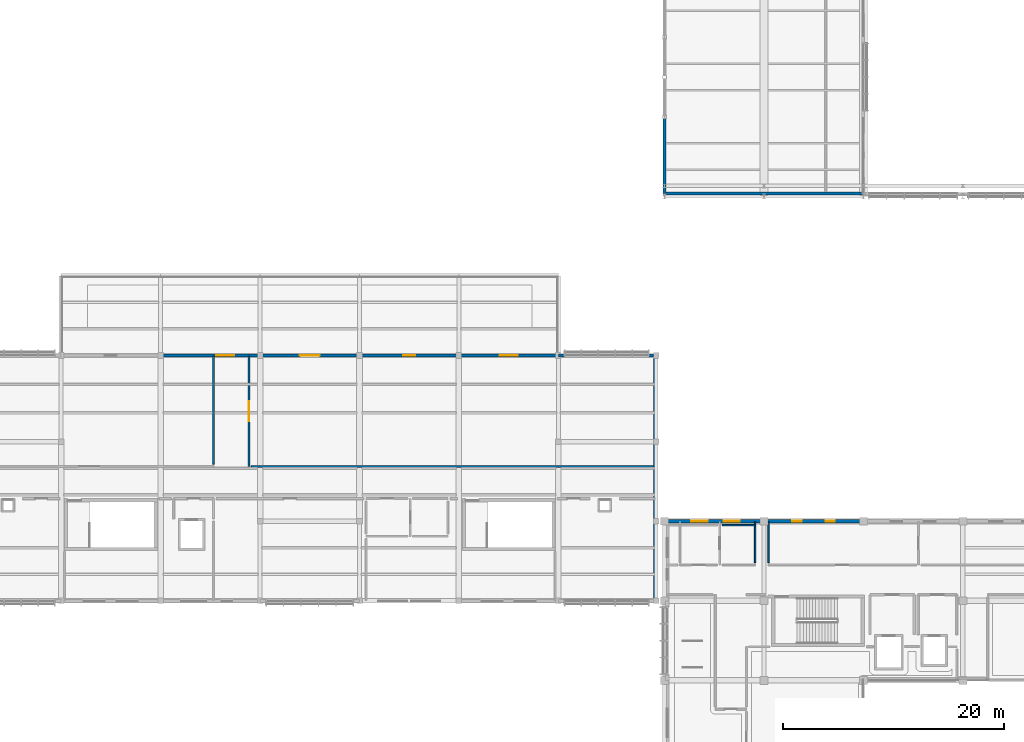
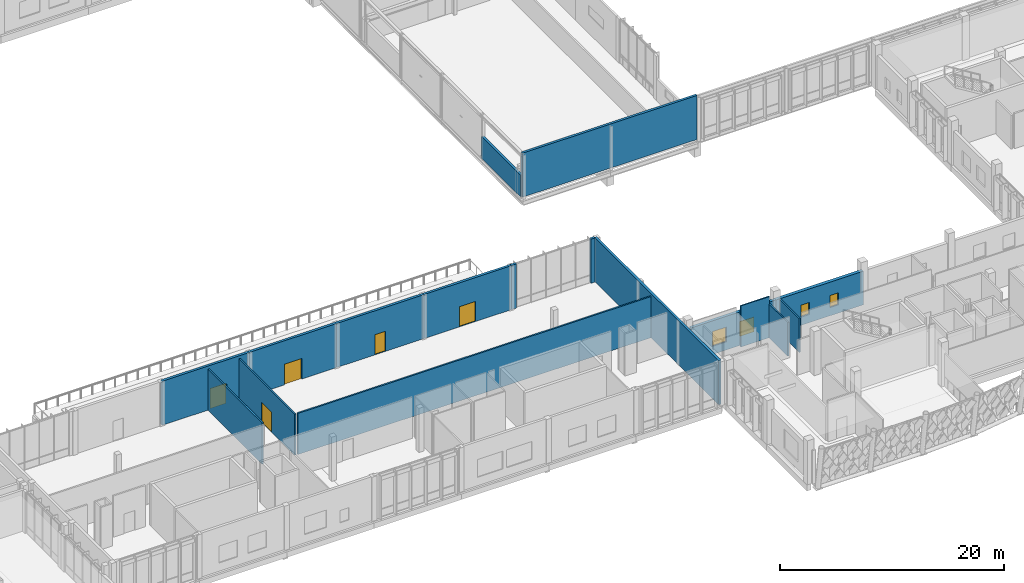
# One storey, part 151 of 177: 17 walls, 5 doors, 4 windows, 9 openings.
"""IFC4 building model written with IfcOpenShell, lengths in metres."""

from ifc_helpers import new_model, si_unit, direction, frame, frame_2d, origin, place, context, subcontext, project, spatial, rectangle, extrude, material, layer, layer_set, type_object, element, fill, save


model = new_model("IFC4")

# Units and contexts
model_context = context("Model", 3, precision=1e-05, world=origin(), true_north=direction((0.0, 1.0)))
body_context = subcontext(model_context, "Body", "Model", "MODEL_VIEW")
ifc_project = project(units=[si_unit("LENGTHUNIT", "METRE"), si_unit("AREAUNIT", "SQUARE_METRE"), si_unit("VOLUMEUNIT", "CUBIC_METRE"), si_unit("PLANEANGLEUNIT", "RADIAN"), si_unit("MASSUNIT", "GRAM", prefix="KILO")], contexts=[model_context])

# Site, building, storey
site_placement = place(None, origin())
site = spatial("IfcSite", under=ifc_project, at=site_placement, CompositionType="ELEMENT")
building_placement = place(site_placement, origin())
building = spatial("IfcBuilding", under=site, at=building_placement, Name="Chiffa Square Polytechnic", CompositionType="ELEMENT")
storey_placement = place(building_placement, frame((0.0, 0.0, 4.800048828125)))
storey = spatial("IfcBuildingStorey", under=building, at=storey_placement, Name="L01", CompositionType="ELEMENT", Elevation=4.800048828125)

# Walls
ifc_material_1 = material(Name="Precast concrete C40/50", Category="concrete")
ifc_layer_1 = layer(ifc_material_1, 0.239990234375, Name="Precast concrete C40/50")
ifc_layer_set_1 = layer_set([ifc_layer_1], Name="Precast concrete C40/50")
wall_type_1 = type_object("IfcWallType", Name="WL-EXT-PC240", PredefinedType="SOLIDWALL", material=ifc_layer_set_1)
wall_1_placement = place(storey_placement, frame((112.199951171875, 65.39990234375, 0.0), z_axis=(0.0, 0.0, 1.0), x_axis=(0.0, -1.0, 0.0)))
element("IfcWall", 1, at=wall_1_placement, inside=storey, type_object=wall_type_1, Name="Exterior wall WE-V2-L01-0130", PredefinedType="SOLIDWALL", context=body_context, shape_type="SweptSolid", body=[
    extrude(rectangle(XDim=6.949951171875, YDim=0.239990234375, at=frame_2d((3.47509765625, 0.0))), origin(), (0.0, 0.0, 1.0), 2.385009765625),
])
ifc_layer_2 = layer(ifc_material_1, 0.260009765625, Name="Precast concrete C40/50")
ifc_layer_set_2 = layer_set([ifc_layer_2], Name="Precast concrete C40/50")
wall_type_2 = type_object("IfcWallType", Name="WL-EXT-PC260", PredefinedType="SOLIDWALL", material=ifc_layer_set_2)
wall_2_placement = place(storey_placement, frame((111.222900390625, 43.800048828125, 0.0), z_axis=(0.0, 0.0, 1.0), x_axis=(-1.0, 0.0, 0.0)))
element("IfcWall", 2, at=wall_2_placement, inside=storey, type_object=wall_type_2, Name="Facade column pier V4-L01-0209L", PredefinedType="SOLIDWALL", context=body_context, shape_type="SweptSolid", body=[
    extrude(rectangle(XDim=0.412841796875, YDim=0.260009765625, at=frame_2d((0.20654296875, 0.0))), origin(), (0.0, 0.0, 1.0), 4.800048828125),
])
wall_3_placement = place(storey_placement, frame((103.139892578125, 43.800048828125, 0.0), z_axis=(0.0, 0.0, 1.0), x_axis=(-1.0, 0.0, 0.0)))
element("IfcWall", 3, at=wall_3_placement, inside=storey, type_object=wall_type_2, Name="Facade column pier V4-L01-0209R", PredefinedType="SOLIDWALL", context=body_context, shape_type="SweptSolid", body=[
    extrude(rectangle(XDim=0.539794921875, YDim=0.260009765625, at=frame_2d((0.27001953125, 0.0))), origin(), (0.0, 0.0, 1.0), 4.800048828125),
])

# Wall, opening, door
wall_4_placement = place(storey_placement, frame((102.60009765625, 43.800048828125, 0.0), z_axis=(0.0, 0.0, 1.0), x_axis=(-1.0, 0.0, 0.0)))
wall_4 = element("IfcWall", 4, at=wall_4_placement, inside=storey, type_object=wall_type_2, Name="Exterior wall WE-V4-L01-0210", PredefinedType="SOLIDWALL", context=body_context, shape_type="SweptSolid", body=[
    extrude(rectangle(XDim=9.0, YDim=0.260009765625, at=frame_2d((4.5, 0.0))), origin(), (0.0, 0.0, 1.0), 4.800048828125),
])
opening_1_placement = place(wall_4_placement, frame((3.675048828125, 0.0, 0.0)))
opening_1 = element("IfcOpeningElement", 5, at=opening_1_placement, cuts=wall_4, Name="Opening DT-L01-037", PredefinedType="OPENING", context=body_context, shape_type="SweptSolid", body=[
    extrude(rectangle(XDim=1.64990234375, YDim=2.199951171875, at=frame_2d((0.824951171875, 1.10009765625))), frame((0.0, 0.14013671875, 0.0), z_axis=(0.0, -1.0, 0.0), x_axis=(1.0, 0.0, 0.0)), (0.0, 0.0, 1.0), 0.280029296875),
])
ifc_material_2 = material(Name="Thermally broken aluminium glazed door", Category="aluminium")
door_type_1 = type_object("IfcDoorType", Name="DR-TERR-DBL-1650", OperationType="DOUBLE_DOOR_SINGLE_SWING", PredefinedType="DOOR", material=ifc_material_2)
door_1_placement = place(opening_1_placement, origin())
door_1 = element("IfcDoor", 6, at=door_1_placement, inside=storey, type_object=door_type_1, Name="Exterior door DT-L01-037", OperationType="DOUBLE_DOOR_SINGLE_SWING", OverallHeight=2.199951171875, OverallWidth=1.64990234375, PredefinedType="DOOR", context=body_context, shape_type="SweptSolid", body=[
    extrude(rectangle(XDim=1.64990234375, YDim=2.199951171875, at=frame_2d((0.824951171875, 1.10009765625))), frame((0.0, 0.02490234375, 0.0), z_axis=(0.0, -1.0, 0.0), x_axis=(1.0, 0.0, 0.0)), (0.0, 0.0, 1.0), 0.050048828125),
])
fill(opening_1, door_1)

wall_5_placement = place(storey_placement, frame((93.60009765625, 43.800048828125, 0.0), z_axis=(0.0, 0.0, 1.0), x_axis=(-1.0, 0.0, 0.0)))
wall_5 = element("IfcWall", 7, at=wall_5_placement, inside=storey, type_object=wall_type_2, Name="Exterior wall WE-V4-L01-0211", PredefinedType="SOLIDWALL", context=body_context, shape_type="SweptSolid", body=[
    extrude(rectangle(XDim=9.0, YDim=0.260009765625, at=frame_2d((4.5, 0.0))), origin(), (0.0, 0.0, 1.0), 4.800048828125),
])
opening_2_placement = place(wall_5_placement, frame((3.949951171875, 0.0, 0.0)))
opening_2 = element("IfcOpeningElement", 8, at=opening_2_placement, cuts=wall_5, Name="Opening DT-L01-038", PredefinedType="OPENING", context=body_context, shape_type="SweptSolid", body=[
    extrude(rectangle(XDim=1.10009765625, YDim=2.199951171875, at=frame_2d((0.550048828125, 1.10009765625))), frame((0.0, 0.14013671875, 0.0), z_axis=(0.0, -1.0, 0.0), x_axis=(1.0, 0.0, 0.0)), (0.0, 0.0, 1.0), 0.280029296875),
])
door_type_2 = type_object("IfcDoorType", Name="DR-TERR-SGL-1100", OperationType="NOTDEFINED", PredefinedType="DOOR", material=ifc_material_2)
door_2_placement = place(opening_2_placement, origin())
door_2 = element("IfcDoor", 9, at=door_2_placement, inside=storey, type_object=door_type_2, Name="Exterior door DT-L01-038", OperationType="SINGLE_SWING_LEFT", OverallHeight=2.199951171875, OverallWidth=1.10009765625, PredefinedType="DOOR", context=body_context, shape_type="SweptSolid", body=[
    extrude(rectangle(XDim=1.10009765625, YDim=2.199951171875, at=frame_2d((0.550048828125, 1.10009765625))), frame((0.0, 0.02490234375, 0.0), z_axis=(0.0, -1.0, 0.0), x_axis=(1.0, 0.0, 0.0)), (0.0, 0.0, 1.0), 0.050048828125),
])
fill(opening_2, door_2)

wall_6_placement = place(storey_placement, frame((84.60009765625, 43.800048828125, 0.0), z_axis=(0.0, 0.0, 1.0), x_axis=(-1.0, 0.0, 0.0)))
wall_6 = element("IfcWall", 10, at=wall_6_placement, inside=storey, type_object=wall_type_2, Name="Exterior wall WE-V4-L01-0212", PredefinedType="SOLIDWALL", context=body_context, shape_type="SweptSolid", body=[
    extrude(rectangle(XDim=9.0, YDim=0.260009765625, at=frame_2d((4.5, 0.0))), origin(), (0.0, 0.0, 1.0), 4.800048828125),
])
opening_3_placement = place(wall_6_placement, frame((3.60009765625, 0.0, 0.0)))
opening_3 = element("IfcOpeningElement", 11, at=opening_3_placement, cuts=wall_6, Name="Opening DT-L01-039", PredefinedType="OPENING", context=body_context, shape_type="SweptSolid", body=[
    extrude(rectangle(XDim=1.800048828125, YDim=2.25, at=frame_2d((0.89990234375, 1.125))), frame((0.0, 0.14013671875, 0.0), z_axis=(0.0, -1.0, 0.0), x_axis=(1.0, 0.0, 0.0)), (0.0, 0.0, 1.0), 0.280029296875),
])
door_type_3 = type_object("IfcDoorType", Name="DR-TERR-DBL-1800", OperationType="DOUBLE_DOOR_SINGLE_SWING", PredefinedType="DOOR", material=ifc_material_2)
door_3_placement = place(opening_3_placement, origin())
door_3 = element("IfcDoor", 12, at=door_3_placement, inside=storey, type_object=door_type_3, Name="Exterior door DT-L01-039", OperationType="DOUBLE_DOOR_SINGLE_SWING", OverallHeight=2.25, OverallWidth=1.800048828125, PredefinedType="DOOR", context=body_context, shape_type="SweptSolid", body=[
    extrude(rectangle(XDim=1.800048828125, YDim=2.25, at=frame_2d((0.89990234375, 1.125))), frame((0.0, 0.02490234375, 0.0), z_axis=(0.0, -1.0, 0.0), x_axis=(1.0, 0.0, 0.0)), (0.0, 0.0, 1.0), 0.050048828125),
])
fill(opening_3, door_3)

wall_7_placement = place(storey_placement, frame((75.60009765625, 43.800048828125, 0.0), z_axis=(0.0, 0.0, 1.0), x_axis=(-1.0, 0.0, 0.0)))
wall_7 = element("IfcWall", 13, at=wall_7_placement, inside=storey, type_object=wall_type_2, Name="Exterior wall WE-V4-L01-0213", PredefinedType="SOLIDWALL", context=body_context, shape_type="SweptSolid", body=[
    extrude(rectangle(XDim=9.0, YDim=0.260009765625, at=frame_2d((4.5, 0.0))), origin(), (0.0, 0.0, 1.0), 4.800048828125),
])
opening_4_placement = place(wall_7_placement, frame((2.324951171875, 0.0, 0.0)))
opening_4 = element("IfcOpeningElement", 14, at=opening_4_placement, cuts=wall_7, Name="Opening DT-L01-040", PredefinedType="OPENING", context=body_context, shape_type="SweptSolid", body=[
    extrude(rectangle(XDim=1.64990234375, YDim=2.199951171875, at=frame_2d((0.824951171875, 1.10009765625))), frame((0.0, 0.14013671875, 0.0), z_axis=(0.0, -1.0, 0.0), x_axis=(1.0, 0.0, 0.0)), (0.0, 0.0, 1.0), 0.280029296875),
])
door_4_placement = place(opening_4_placement, origin())
door_4 = element("IfcDoor", 15, at=door_4_placement, inside=storey, type_object=door_type_1, Name="Exterior door DT-L01-040", OperationType="DOUBLE_DOOR_SINGLE_SWING", OverallHeight=2.199951171875, OverallWidth=1.64990234375, PredefinedType="DOOR", context=body_context, shape_type="SweptSolid", body=[
    extrude(rectangle(XDim=1.64990234375, YDim=2.199951171875, at=frame_2d((0.824951171875, 1.10009765625))), frame((0.0, 0.02490234375, 0.0), z_axis=(0.0, -1.0, 0.0), x_axis=(1.0, 0.0, 0.0)), (0.0, 0.0, 1.0), 0.050048828125),
])
fill(opening_4, door_4)

# Wall, openings, windows
ifc_layer_3 = layer(ifc_material_1, 0.300048828125, Name="Precast concrete C40/50")
ifc_layer_set_3 = layer_set([ifc_layer_3], Name="Precast concrete C40/50")
wall_type_3 = type_object("IfcWallType", Name="WL-EXT-PC300", PredefinedType="SOLIDWALL", material=ifc_layer_set_3)
wall_8_placement = place(storey_placement, frame((121.199951171875, 28.800048828125, 0.0), z_axis=(0.0, 0.0, 1.0), x_axis=(-1.0, 0.0, 0.0)))
wall_8 = element("IfcWall", 16, at=wall_8_placement, inside=storey, type_object=wall_type_3, Name="Exterior wall WE-V1-L01-0029", PredefinedType="SOLIDWALL", context=body_context, shape_type="SweptSolid", body=[
    extrude(rectangle(XDim=8.75, YDim=0.300048828125, at=frame_2d((4.375, 0.0))), origin(), (0.0, 0.0, 1.0), 3.6650390625),
])
opening_5_placement = place(wall_8_placement, frame((2.19189453125, 0.0, 0.89990234375)))
opening_5 = element("IfcOpeningElement", 17, at=opening_5_placement, cuts=wall_8, Name="Opening W-16", PredefinedType="OPENING", context=body_context, shape_type="SweptSolid", body=[
    extrude(rectangle(XDim=1.449951171875, YDim=1.60009765625, at=frame_2d((0.72509765625, 0.800048828125))), frame((0.0, 0.16015625, 0.0), z_axis=(0.0, -1.0, 0.0), x_axis=(1.0, 0.0, 0.0)), (0.0, 0.0, 1.0), 0.320068359375),
])
opening_6_placement = place(wall_8_placement, frame((5.10791015625, 0.0, 0.89990234375)))
opening_6 = element("IfcOpeningElement", 18, at=opening_6_placement, cuts=wall_8, Name="Opening W-16", PredefinedType="OPENING", context=body_context, shape_type="SweptSolid", body=[
    extrude(rectangle(XDim=1.449951171875, YDim=1.60009765625, at=frame_2d((0.72509765625, 0.800048828125))), frame((0.0, 0.16015625, 0.0), z_axis=(0.0, -1.0, 0.0), x_axis=(1.0, 0.0, 0.0)), (0.0, 0.0, 1.0), 0.320068359375),
])
ifc_material_3 = material(Name="Double glazing in thermally broken aluminium frame", Category="aluminium")
window_type_1 = type_object("IfcWindowType", Name="WIN-OFF-1450X1600", PartitioningType="DOUBLE_PANEL_VERTICAL", PredefinedType="WINDOW", material=ifc_material_3)
window_1_placement = place(opening_5_placement, origin())
window_1 = element("IfcWindow", 19, at=window_1_placement, inside=storey, type_object=window_type_1, Name="Facade window WN-L01-0025", OverallHeight=1.60009765625, OverallWidth=1.449951171875, PartitioningType="DOUBLE_PANEL_VERTICAL", PredefinedType="WINDOW", context=body_context, shape_type="SweptSolid", body=[
    extrude(rectangle(XDim=1.449951171875, YDim=1.60009765625, at=frame_2d((0.72509765625, 0.800048828125))), frame((0.0, 0.030029296875, 0.0), z_axis=(0.0, -1.0, 0.0), x_axis=(1.0, 0.0, 0.0)), (0.0, 0.0, 1.0), 0.06005859375),
])
fill(opening_5, window_1)
window_2_placement = place(opening_6_placement, origin())
window_2 = element("IfcWindow", 20, at=window_2_placement, inside=storey, type_object=window_type_1, Name="Facade window WN-L01-0026", OverallHeight=1.60009765625, OverallWidth=1.449951171875, PartitioningType="DOUBLE_PANEL_VERTICAL", PredefinedType="WINDOW", context=body_context, shape_type="SweptSolid", body=[
    extrude(rectangle(XDim=1.449951171875, YDim=1.60009765625, at=frame_2d((0.72509765625, 0.800048828125))), frame((0.0, 0.030029296875, 0.0), z_axis=(0.0, -1.0, 0.0), x_axis=(1.0, 0.0, 0.0)), (0.0, 0.0, 1.0), 0.06005859375),
])
fill(opening_6, window_2)

ifc_layer_4 = layer(ifc_material_1, 0.340087890625, Name="Precast concrete C40/50")
ifc_layer_set_4 = layer_set([ifc_layer_4], Name="Precast concrete C40/50")
wall_type_4 = type_object("IfcWallType", Name="WL-EXT-PC340", PredefinedType="SOLIDWALL", material=ifc_layer_set_4)
wall_9_placement = place(storey_placement, frame((130.199951171875, 28.800048828125, 0.0), z_axis=(0.0, 0.0, 1.0), x_axis=(-1.0, 0.0, 0.0)))
wall_9 = element("IfcWall", 21, at=wall_9_placement, inside=storey, type_object=wall_type_4, Name="Exterior wall WE-V1-L01-0028", PredefinedType="SOLIDWALL", context=body_context, shape_type="SweptSolid", body=[
    extrude(rectangle(XDim=9.0, YDim=0.340087890625, at=frame_2d((4.5, 0.0))), origin(), (0.0, 0.0, 1.0), 3.6650390625),
])
opening_7_placement = place(wall_9_placement, frame((2.574951171875, 0.0, 0.89990234375)))
opening_7 = element("IfcOpeningElement", 22, at=opening_7_placement, cuts=wall_9, Name="Opening W-22", PredefinedType="OPENING", context=body_context, shape_type="SweptSolid", body=[
    extrude(rectangle(XDim=0.85009765625, YDim=1.300048828125, at=frame_2d((0.425048828125, 0.64990234375))), frame((0.0, 0.18017578125, 0.0), z_axis=(0.0, -1.0, 0.0), x_axis=(1.0, 0.0, 0.0)), (0.0, 0.0, 1.0), 0.360107421875),
])
opening_8_placement = place(wall_9_placement, frame((5.574951171875, 0.0, 0.89990234375)))
opening_8 = element("IfcOpeningElement", 23, at=opening_8_placement, cuts=wall_9, Name="Opening W-22", PredefinedType="OPENING", context=body_context, shape_type="SweptSolid", body=[
    extrude(rectangle(XDim=0.85009765625, YDim=1.300048828125, at=frame_2d((0.425048828125, 0.64990234375))), frame((0.0, 0.18017578125, 0.0), z_axis=(0.0, -1.0, 0.0), x_axis=(1.0, 0.0, 0.0)), (0.0, 0.0, 1.0), 0.360107421875),
])
window_type_2 = type_object("IfcWindowType", Name="WIN-OFF-0850X1300", PartitioningType="DOUBLE_PANEL_VERTICAL", PredefinedType="WINDOW", material=ifc_material_3)
window_3_placement = place(opening_7_placement, origin())
window_3 = element("IfcWindow", 24, at=window_3_placement, inside=storey, type_object=window_type_2, Name="Facade window WN-L01-0023", OverallHeight=1.300048828125, OverallWidth=0.85009765625, PartitioningType="DOUBLE_PANEL_VERTICAL", PredefinedType="WINDOW", context=body_context, shape_type="SweptSolid", body=[
    extrude(rectangle(XDim=0.85009765625, YDim=1.300048828125, at=frame_2d((0.425048828125, 0.64990234375))), frame((0.0, 0.030029296875, 0.0), z_axis=(0.0, -1.0, 0.0), x_axis=(1.0, 0.0, 0.0)), (0.0, 0.0, 1.0), 0.06005859375),
])
fill(opening_7, window_3)
window_4_placement = place(opening_8_placement, origin())
window_4 = element("IfcWindow", 25, at=window_4_placement, inside=storey, type_object=window_type_2, Name="Facade window WN-L01-0024", OverallHeight=1.300048828125, OverallWidth=0.85009765625, PartitioningType="DOUBLE_PANEL_VERTICAL", PredefinedType="WINDOW", context=body_context, shape_type="SweptSolid", body=[
    extrude(rectangle(XDim=0.85009765625, YDim=1.300048828125, at=frame_2d((0.425048828125, 0.64990234375))), frame((0.0, 0.030029296875, 0.0), z_axis=(0.0, -1.0, 0.0), x_axis=(1.0, 0.0, 0.0)), (0.0, 0.0, 1.0), 0.06005859375),
])
fill(opening_8, window_4)

# Walls
ifc_material_4 = material(Name="Gypsum board on steel stud", Category="steel")
ifc_layer_5 = layer(ifc_material_4, 0.14501953125, Name="Gypsum board on steel stud")
ifc_layer_set_5 = layer_set([ifc_layer_5], Name="Gypsum board on steel stud")
wall_type_5 = type_object("IfcWallType", Name="WL-PART-145", PredefinedType="PARTITIONING", material=ifc_layer_set_5)
wall_10_placement = place(storey_placement, frame((121.60009765625, 25.070068359375, 0.0), z_axis=(0.0, 0.0, 1.0), x_axis=(0.0, 1.0, 0.0)))
element("IfcWall", 26, at=wall_10_placement, inside=storey, type_object=wall_type_5, Name="Interior partition WP-V1-L01-0273", PredefinedType="PARTITIONING", context=body_context, shape_type="SweptSolid", body=[
    extrude(rectangle(XDim=3.675048828125, YDim=0.14501953125, at=frame_2d((1.83740234375, 0.0))), origin(), (0.0, 0.0, 1.0), 3.6650390625),
])
ifc_material_5 = material(Name="Gypsum board on acoustic steel stud", Category="steel")
ifc_layer_6 = layer(ifc_material_5, 0.159912109375, Name="Gypsum board on acoustic steel stud")
ifc_layer_set_6 = layer_set([ifc_layer_6], Name="Gypsum board on acoustic steel stud")
wall_type_6 = type_object("IfcWallType", Name="WL-PART-EI60-160", PredefinedType="PARTITIONING", material=ifc_layer_set_6)
wall_11_placement = place(storey_placement, frame((71.39990234375, 33.969970703125, 0.0), z_axis=(0.0, 0.0, 1.0), x_axis=(0.0, 1.0, 0.0)))
element("IfcWall", 27, at=wall_11_placement, inside=storey, type_object=wall_type_6, Name="Interior partition WP-V4-L01-0312", PredefinedType="PARTITIONING", context=body_context, shape_type="SweptSolid", body=[
    extrude(rectangle(XDim=9.775146484375, YDim=0.159912109375, at=frame_2d((4.8876953125, 0.0))), origin(), (0.0, 0.0, 1.0), 4.47998046875),
])

# Wall, opening, door
wall_12_placement = place(storey_placement, frame((74.60009765625, 33.75, 0.0), z_axis=(0.0, 0.0, 1.0), x_axis=(0.0, 1.0, 0.0)))
wall_12 = element("IfcWall", 28, at=wall_12_placement, inside=storey, type_object=wall_type_6, Name="Interior partition WP-V4-L01-0313", PredefinedType="PARTITIONING", context=body_context, shape_type="SweptSolid", body=[
    extrude(rectangle(XDim=9.9951171875, YDim=0.159912109375, at=frame_2d((4.99755859375, 0.0))), origin(), (0.0, 0.0, 1.0), 4.47998046875),
])
opening_9_placement = place(wall_12_placement, frame((4.096923828125, 0.0, 0.0)))
opening_9 = element("IfcOpeningElement", 29, at=opening_9_placement, cuts=wall_12, Name="Opening DI-L01-142", PredefinedType="OPENING", context=body_context, shape_type="SweptSolid", body=[
    extrude(rectangle(XDim=1.800048828125, YDim=2.199951171875, at=frame_2d((0.89990234375, 1.10009765625))), frame((0.0, 0.08984375, 0.0), z_axis=(0.0, -1.0, 0.0), x_axis=(1.0, 0.0, 0.0)), (0.0, 0.0, 1.0), 0.179931640625),
])
ifc_material_6 = material(Name="Solid oak fire door pair")
door_type_4 = type_object("IfcDoorType", Name="DR-CORR-DBL-1800", OperationType="DOUBLE_DOOR_SINGLE_SWING", PredefinedType="DOOR", material=ifc_material_6)
door_5_placement = place(opening_9_placement, origin())
door_5 = element("IfcDoor", 30, at=door_5_placement, inside=storey, type_object=door_type_4, Name="Interior room door DI-L01-142", OperationType="DOUBLE_DOOR_SINGLE_SWING", OverallHeight=2.199951171875, OverallWidth=1.800048828125, PredefinedType="DOOR", context=body_context, shape_type="SweptSolid", body=[
    extrude(rectangle(XDim=1.800048828125, YDim=2.199951171875, at=frame_2d((0.89990234375, 1.10009765625))), frame((0.0, 0.02490234375, 0.0), z_axis=(0.0, -1.0, 0.0), x_axis=(1.0, 0.0, 0.0)), (0.0, 0.0, 1.0), 0.050048828125),
])
fill(opening_9, door_5)

# Walls
wall_13_placement = place(storey_placement, frame((74.820068359375, 33.75, 0.0), z_axis=(0.0, 0.0, 1.0), x_axis=(1.0, 0.0, 0.0)))
element("IfcWall", 31, at=wall_13_placement, inside=storey, type_object=wall_type_6, Name="Interior partition WP-V4-L01-0314", PredefinedType="PARTITIONING", context=body_context, shape_type="SweptSolid", body=[
    extrude(rectangle(XDim=36.474853515625, YDim=0.159912109375, at=frame_2d((18.2373046875, 0.0))), origin(), (0.0, 0.0, 1.0), 4.47998046875),
])
ifc_material_7 = material(Name="Moisture-resistant board partition")
ifc_layer_7 = layer(ifc_material_7, 0.1201171875, Name="Moisture-resistant board partition")
ifc_layer_set_7 = layer_set([ifc_layer_7], Name="Moisture-resistant board partition")
wall_type_7 = type_object("IfcWallType", Name="WL-PART-WC-120", PredefinedType="PARTITIONING", material=ifc_layer_set_7)
wall_14_placement = place(storey_placement, frame((117.419921875, 28.449951171875, 0.0), z_axis=(0.0, 0.0, 1.0), x_axis=(1.0, 0.0, 0.0)))
element("IfcWall", 32, at=wall_14_placement, inside=storey, type_object=wall_type_7, Name="Interior partition WP-V1-L01-0225", PredefinedType="PARTITIONING", context=body_context, shape_type="SweptSolid", body=[
    extrude(rectangle(XDim=2.97998046875, YDim=0.1201171875, at=frame_2d((1.489990234375, 0.0))), origin(), (0.0, 0.0, 1.0), 4.47998046875),
])
wall_15_placement = place(storey_placement, frame((120.39990234375, 25.070068359375, 0.0), z_axis=(0.0, 0.0, 1.0), x_axis=(0.0, 1.0, 0.0)))
element("IfcWall", 33, at=wall_15_placement, inside=storey, type_object=wall_type_7, Name="Interior partition WP-V1-L01-0226", PredefinedType="PARTITIONING", context=body_context, shape_type="SweptSolid", body=[
    extrude(rectangle(XDim=3.675048828125, YDim=0.1201171875, at=frame_2d((1.83740234375, 0.0))), origin(), (0.0, 0.0, 1.0), 3.6650390625),
])
ifc_material_8 = material(Name="Concrete C35/45", Category="concrete")
ifc_layer_8 = layer(ifc_material_8, 0.25, Name="Concrete C35/45")
ifc_layer_set_8 = layer_set([ifc_layer_8], Name="Concrete C35/45")
wall_type_8 = type_object("IfcWallType", Name="WL-SJ-250", PredefinedType="SHEAR", material=ifc_layer_set_8)
wall_16_placement = place(storey_placement, frame((112.199951171875, 58.449951171875, 0.0), z_axis=(0.0, 0.0, 1.0), x_axis=(1.0, 0.0, 0.0)))
element("IfcWall", 34, at=wall_16_placement, inside=storey, type_object=wall_type_8, Name="Seismic-joint fire wall WE-V2-L01-0114", PredefinedType="SHEAR", context=body_context, shape_type="SweptSolid", body=[
    extrude(rectangle(XDim=18.0, YDim=0.25, at=frame_2d((9.0, 0.0))), origin(), (0.0, 0.0, 1.0), 4.800048828125),
])
wall_17_placement = place(storey_placement, frame((111.35009765625, 21.60009765625, 0.0), z_axis=(0.0, 0.0, 1.0), x_axis=(0.0, 1.0, 0.0)))
element("IfcWall", 35, at=wall_17_placement, inside=storey, type_object=wall_type_8, Name="Seismic-joint fire wall WE-V4-L01-0208", PredefinedType="SHEAR", context=body_context, shape_type="SweptSolid", body=[
    extrude(rectangle(XDim=22.199951171875, YDim=0.25, at=frame_2d((11.10009765625, 0.0))), origin(), (0.0, 0.0, 1.0), 4.800048828125),
])

save(model, "model.ifc")
